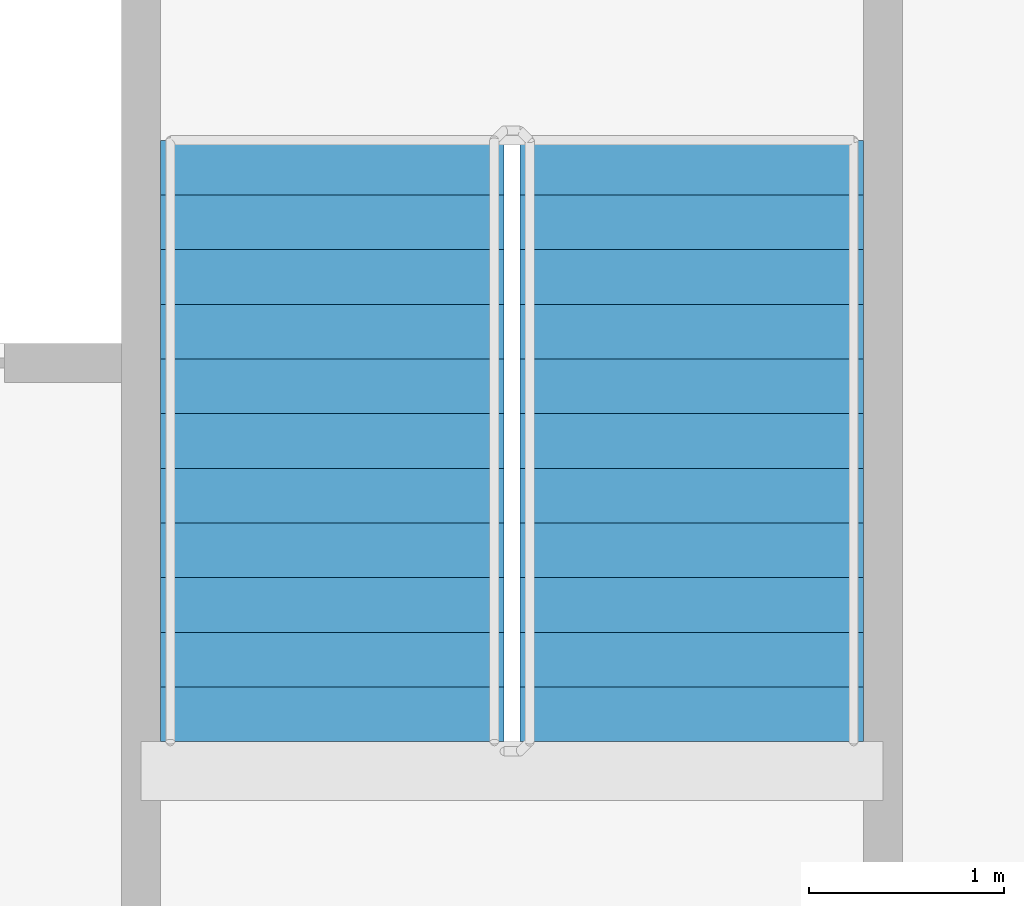
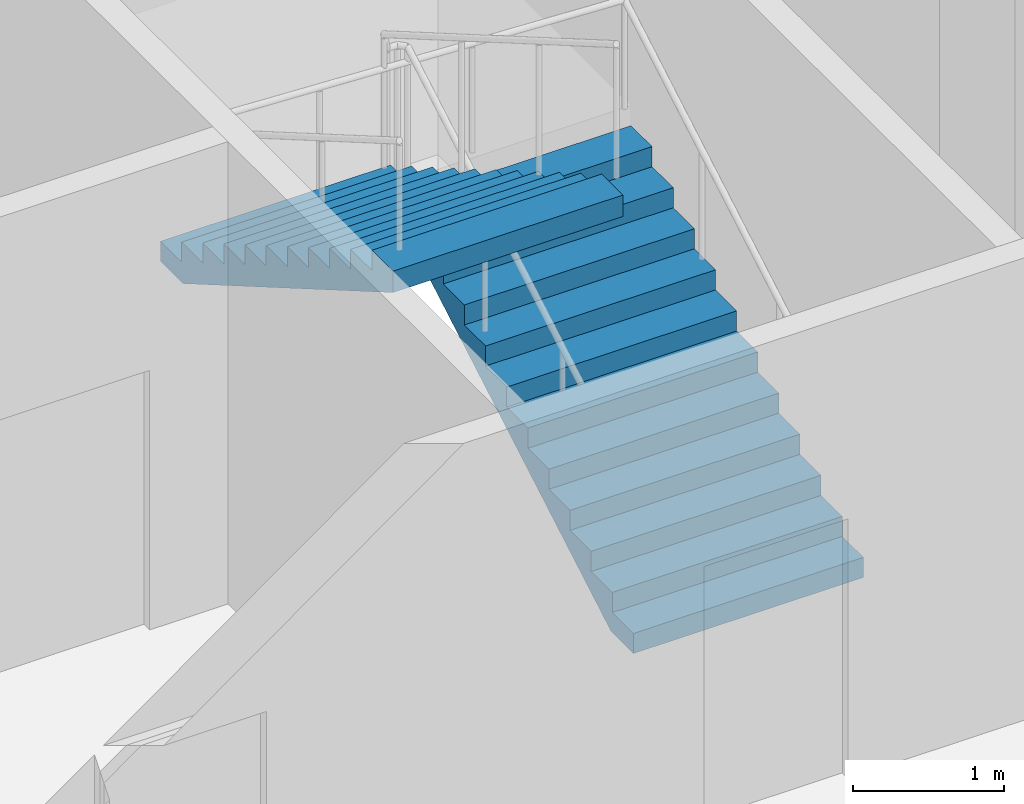
# One storey, part 17 of 22: 2 stair flights, 1 element without a shape of its own.
"""IFC4 building model written with IfcOpenShell, lengths in metres."""

from ifc_helpers import new_model, si_unit, direction, frame, origin, place, context, subcontext, project, spatial, faceted_brep, material, type_object, element, aggregate, save


model = new_model("IFC4")

# Units and contexts
model_context = context("Model", 3, precision=1e-05, world=origin(), true_north=direction((0.0, 1.0)))
body_context = subcontext(model_context, "Body", "Model", "MODEL_VIEW")
ifc_project = project(units=[si_unit("LENGTHUNIT", "METRE"), si_unit("AREAUNIT", "SQUARE_METRE"), si_unit("VOLUMEUNIT", "CUBIC_METRE"), si_unit("PLANEANGLEUNIT", "RADIAN"), si_unit("MASSUNIT", "GRAM", prefix="KILO")], contexts=[model_context])

# Site, building, storey
site_placement = place(None, origin())
site = spatial("IfcSite", under=ifc_project, at=site_placement, CompositionType="ELEMENT")
building_placement = place(site_placement, origin())
building = spatial("IfcBuilding", under=site, at=building_placement, Name="Tarsis Ring Headquarters", CompositionType="ELEMENT")
storey_placement = place(building_placement, frame((0.0, 0.0, 63.39990234375)))
storey = spatial("IfcBuildingStorey", under=building, at=storey_placement, Name="L13", CompositionType="ELEMENT", Elevation=63.39990234375)

# Stair, stair flights
ifc_material_1 = material(Name="Core stair 1760")
stair_type = type_object("IfcStairType", Name="Core stair 1760", PredefinedType="HALF_TURN_STAIR", material=ifc_material_1)
stair_placement = place(storey_placement, origin())
stair = element("IfcStair", 1, at=stair_placement, inside=storey, type_object=stair_type, Name="L13 Exit stair B", PredefinedType="HALF_TURN_STAIR")
ifc_material_2 = material(Name="Concrete C40/50", Category="concrete")
stair_flight_type = type_object("IfcStairFlightType", Name="Core stair flight 1760", PredefinedType="STRAIGHT", material=ifc_material_2)
stair_flight_1_placement = place(storey_placement, frame((5.419921875, 3.659912109375, 0.0), z_axis=(0.0, 0.0, 1.0), x_axis=(0.0, 1.0, 0.0)))
stair_flight_1 = element("IfcStairFlight", 2, at=stair_flight_1_placement, type_object=stair_flight_type, Name="Stair ST2 flight 1", NumberOfRisers=12, NumberOfTreads=11, PredefinedType="STRAIGHT", RiserHeight=0.1625, TreadLength=0.28, context=body_context, shape_type="Brep", body=[
    faceted_brep([(0.0, 0.8798828125, 0.0), (0.0, 0.8798828125, 0.16259765625), (0.280029296875, 0.8798828125, 0.16259765625), (0.280029296875, 0.8798828125, 0.324951171875), (0.56005859375, 0.8798828125, 0.324951171875), (0.56005859375, 0.8798828125, 0.487548828125), (0.840087890625, 0.8798828125, 0.487548828125), (0.840087890625, 0.8798828125, 0.64990234375), (1.1201171875, 0.8798828125, 0.64990234375), (1.1201171875, 0.8798828125, 0.8125), (1.39990234375, 0.8798828125, 0.8125), (1.39990234375, 0.8798828125, 0.97509765625), (1.679931640625, 0.8798828125, 0.97509765625), (1.679931640625, 0.8798828125, 1.137451171875), (1.9599609375, 0.8798828125, 1.137451171875), (1.9599609375, 0.8798828125, 1.300048828125), (2.239990234375, 0.8798828125, 1.300048828125), (2.239990234375, 0.8798828125, 1.46240234375), (2.52001953125, 0.8798828125, 1.46240234375), (2.52001953125, 0.8798828125, 1.625), (2.800048828125, 0.8798828125, 1.625), (2.800048828125, 0.8798828125, 1.78759765625), (3.080078125, 0.8798828125, 1.78759765625), (3.080078125, 0.8798828125, 1.6142578125), (0.298583984375, 0.8798828125, 0.0), (0.298583984375, -0.8798828125, 0.0), (3.080078125, -0.8798828125, 1.6142578125), (3.080078125, -0.8798828125, 1.78759765625), (2.800048828125, -0.8798828125, 1.78759765625), (2.800048828125, -0.8798828125, 1.625), (2.52001953125, -0.8798828125, 1.625), (2.52001953125, -0.8798828125, 1.46240234375), (2.239990234375, -0.8798828125, 1.46240234375), (2.239990234375, -0.8798828125, 1.300048828125), (1.9599609375, -0.8798828125, 1.300048828125), (1.9599609375, -0.8798828125, 1.137451171875), (1.679931640625, -0.8798828125, 1.137451171875), (1.679931640625, -0.8798828125, 0.97509765625), (1.39990234375, -0.8798828125, 0.97509765625), (1.39990234375, -0.8798828125, 0.8125), (1.1201171875, -0.8798828125, 0.8125), (1.1201171875, -0.8798828125, 0.64990234375), (0.840087890625, -0.8798828125, 0.64990234375), (0.840087890625, -0.8798828125, 0.487548828125), (0.56005859375, -0.8798828125, 0.487548828125), (0.56005859375, -0.8798828125, 0.324951171875), (0.280029296875, -0.8798828125, 0.324951171875), (0.280029296875, -0.8798828125, 0.16259765625), (0.0, -0.8798828125, 0.16259765625), (0.0, -0.8798828125, 0.0), (0.0, -0.43994140625, 0.16259765625), (0.0, -0.43994140625, 0.0), (0.0, 0.0, 0.16259765625), (0.0, 0.0, 0.0), (0.0, 0.43994140625, 0.16259765625), (0.0, 0.43994140625, 0.0), (0.280029296875, -0.43994140625, 0.16259765625), (0.280029296875, 0.0, 0.16259765625), (0.280029296875, 0.43994140625, 0.16259765625), (0.280029296875, -0.43994140625, 0.324951171875), (0.280029296875, 0.0, 0.324951171875), (0.280029296875, 0.43994140625, 0.324951171875), (0.56005859375, -0.43994140625, 0.324951171875), (0.56005859375, 0.0, 0.324951171875), (0.56005859375, 0.43994140625, 0.324951171875), (0.56005859375, -0.43994140625, 0.487548828125), (0.56005859375, 0.0, 0.487548828125), (0.56005859375, 0.43994140625, 0.487548828125), (0.840087890625, -0.43994140625, 0.487548828125), (0.840087890625, 0.0, 0.487548828125), (0.840087890625, 0.43994140625, 0.487548828125), (0.840087890625, -0.43994140625, 0.64990234375), (0.840087890625, 0.0, 0.64990234375), (0.840087890625, 0.43994140625, 0.64990234375), (1.1201171875, -0.43994140625, 0.64990234375), (1.1201171875, 0.0, 0.64990234375), (1.1201171875, 0.43994140625, 0.64990234375), (1.1201171875, -0.43994140625, 0.8125), (1.1201171875, 0.0, 0.8125), (1.1201171875, 0.43994140625, 0.8125), (1.39990234375, -0.43994140625, 0.8125), (1.39990234375, 0.0, 0.8125), (1.39990234375, 0.43994140625, 0.8125), (1.39990234375, -0.43994140625, 0.97509765625), (1.39990234375, 0.0, 0.97509765625), (1.39990234375, 0.43994140625, 0.97509765625), (1.679931640625, -0.43994140625, 0.97509765625), (1.679931640625, 0.0, 0.97509765625), (1.679931640625, 0.43994140625, 0.97509765625), (1.679931640625, -0.43994140625, 1.137451171875), (1.679931640625, 0.0, 1.137451171875), (1.679931640625, 0.43994140625, 1.137451171875), (1.9599609375, -0.43994140625, 1.137451171875), (1.9599609375, 0.0, 1.137451171875), (1.9599609375, 0.43994140625, 1.137451171875), (1.9599609375, -0.43994140625, 1.300048828125), (1.9599609375, 0.0, 1.300048828125), (1.9599609375, 0.43994140625, 1.300048828125), (2.239990234375, -0.43994140625, 1.300048828125), (2.239990234375, 0.0, 1.300048828125), (2.239990234375, 0.43994140625, 1.300048828125), (2.239990234375, -0.43994140625, 1.46240234375), (2.239990234375, 0.0, 1.46240234375), (2.239990234375, 0.43994140625, 1.46240234375), (2.52001953125, -0.43994140625, 1.46240234375), (2.52001953125, 0.0, 1.46240234375), (2.52001953125, 0.43994140625, 1.46240234375), (2.52001953125, -0.43994140625, 1.625), (2.52001953125, 0.0, 1.625), (2.52001953125, 0.43994140625, 1.625), (2.800048828125, -0.43994140625, 1.625), (2.800048828125, 0.0, 1.625), (2.800048828125, 0.43994140625, 1.625), (2.800048828125, -0.43994140625, 1.78759765625), (2.800048828125, 0.0, 1.78759765625), (2.800048828125, 0.43994140625, 1.78759765625), (3.080078125, -0.43994140625, 1.78759765625), (3.080078125, 0.0, 1.78759765625), (3.080078125, 0.43994140625, 1.78759765625), (3.080078125, -0.43994140625, 1.6142578125), (3.080078125, 0.0, 1.6142578125), (3.080078125, 0.43994140625, 1.6142578125), (0.298583984375, -0.43994140625, 0.0), (0.298583984375, 0.0, 0.0), (0.298583984375, 0.43994140625, 0.0)], [[[0, 1, 2, 3, 4, 5, 6, 7, 8, 9, 10, 11, 12, 13, 14, 15, 16, 17, 18, 19, 20, 21, 22, 23, 24]], [[25, 26, 27, 28, 29, 30, 31, 32, 33, 34, 35, 36, 37, 38, 39, 40, 41, 42, 43, 44, 45, 46, 47, 48, 49]], [[49, 48, 50, 51]], [[51, 50, 52, 53]], [[53, 52, 54, 55]], [[55, 54, 1, 0]], [[48, 47, 56, 50]], [[50, 56, 57, 52]], [[52, 57, 58, 54]], [[54, 58, 2, 1]], [[47, 46, 59, 56]], [[56, 59, 60, 57]], [[57, 60, 61, 58]], [[58, 61, 3, 2]], [[46, 45, 62, 59]], [[59, 62, 63, 60]], [[60, 63, 64, 61]], [[61, 64, 4, 3]], [[45, 44, 65, 62]], [[62, 65, 66, 63]], [[63, 66, 67, 64]], [[64, 67, 5, 4]], [[44, 43, 68, 65]], [[65, 68, 69, 66]], [[66, 69, 70, 67]], [[67, 70, 6, 5]], [[43, 42, 71, 68]], [[68, 71, 72, 69]], [[69, 72, 73, 70]], [[70, 73, 7, 6]], [[42, 41, 74, 71]], [[71, 74, 75, 72]], [[72, 75, 76, 73]], [[73, 76, 8, 7]], [[41, 40, 77, 74]], [[74, 77, 78, 75]], [[75, 78, 79, 76]], [[76, 79, 9, 8]], [[40, 39, 80, 77]], [[77, 80, 81, 78]], [[78, 81, 82, 79]], [[79, 82, 10, 9]], [[39, 38, 83, 80]], [[80, 83, 84, 81]], [[81, 84, 85, 82]], [[82, 85, 11, 10]], [[38, 37, 86, 83]], [[83, 86, 87, 84]], [[84, 87, 88, 85]], [[85, 88, 12, 11]], [[37, 36, 89, 86]], [[86, 89, 90, 87]], [[87, 90, 91, 88]], [[88, 91, 13, 12]], [[36, 35, 92, 89]], [[89, 92, 93, 90]], [[90, 93, 94, 91]], [[91, 94, 14, 13]], [[35, 34, 95, 92]], [[92, 95, 96, 93]], [[93, 96, 97, 94]], [[94, 97, 15, 14]], [[34, 33, 98, 95]], [[95, 98, 99, 96]], [[96, 99, 100, 97]], [[97, 100, 16, 15]], [[33, 32, 101, 98]], [[98, 101, 102, 99]], [[99, 102, 103, 100]], [[100, 103, 17, 16]], [[32, 31, 104, 101]], [[101, 104, 105, 102]], [[102, 105, 106, 103]], [[103, 106, 18, 17]], [[31, 30, 107, 104]], [[104, 107, 108, 105]], [[105, 108, 109, 106]], [[106, 109, 19, 18]], [[30, 29, 110, 107]], [[107, 110, 111, 108]], [[108, 111, 112, 109]], [[109, 112, 20, 19]], [[29, 28, 113, 110]], [[110, 113, 114, 111]], [[111, 114, 115, 112]], [[112, 115, 21, 20]], [[28, 27, 116, 113]], [[113, 116, 117, 114]], [[114, 117, 118, 115]], [[115, 118, 22, 21]], [[27, 26, 119, 116]], [[116, 119, 120, 117]], [[117, 120, 121, 118]], [[118, 121, 23, 22]], [[26, 25, 122, 119]], [[119, 122, 123, 120]], [[120, 123, 124, 121]], [[121, 124, 24, 23]], [[25, 49, 51, 122]], [[122, 51, 53, 123]], [[123, 53, 55, 124]], [[124, 55, 0, 24]]]),
])
stair_flight_2_placement = place(storey_placement, frame((3.580078125, 6.739990234375, 1.9501953125), z_axis=(0.0, 0.0, 1.0), x_axis=(0.0, -1.0, 0.0)))
stair_flight_2 = element("IfcStairFlight", 3, at=stair_flight_2_placement, type_object=stair_flight_type, Name="Stair ST2 flight 2", NumberOfRisers=12, NumberOfTreads=11, PredefinedType="STRAIGHT", RiserHeight=0.1625, TreadLength=0.28, context=body_context, shape_type="Brep", body=[
    faceted_brep([(0.0, 0.8798828125, 0.0), (0.0, 0.8798828125, 0.16259765625), (0.280029296875, 0.8798828125, 0.16259765625), (0.280029296875, 0.8798828125, 0.324951171875), (0.56005859375, 0.8798828125, 0.324951171875), (0.56005859375, 0.8798828125, 0.487548828125), (0.840087890625, 0.8798828125, 0.487548828125), (0.840087890625, 0.8798828125, 0.64990234375), (1.1201171875, 0.8798828125, 0.64990234375), (1.1201171875, 0.8798828125, 0.8125), (1.39990234375, 0.8798828125, 0.8125), (1.39990234375, 0.8798828125, 0.97509765625), (1.679931640625, 0.8798828125, 0.97509765625), (1.679931640625, 0.8798828125, 1.137451171875), (1.9599609375, 0.8798828125, 1.137451171875), (1.9599609375, 0.8798828125, 1.300048828125), (2.239990234375, 0.8798828125, 1.300048828125), (2.239990234375, 0.8798828125, 1.46240234375), (2.52001953125, 0.8798828125, 1.46240234375), (2.52001953125, 0.8798828125, 1.625), (2.800048828125, 0.8798828125, 1.625), (2.800048828125, 0.8798828125, 1.78759765625), (3.080078125, 0.8798828125, 1.78759765625), (3.080078125, 0.8798828125, 1.6142578125), (0.298583984375, 0.8798828125, 0.0), (0.298583984375, -0.8798828125, 0.0), (3.080078125, -0.8798828125, 1.6142578125), (3.080078125, -0.8798828125, 1.78759765625), (2.800048828125, -0.8798828125, 1.78759765625), (2.800048828125, -0.8798828125, 1.625), (2.52001953125, -0.8798828125, 1.625), (2.52001953125, -0.8798828125, 1.46240234375), (2.239990234375, -0.8798828125, 1.46240234375), (2.239990234375, -0.8798828125, 1.300048828125), (1.9599609375, -0.8798828125, 1.300048828125), (1.9599609375, -0.8798828125, 1.137451171875), (1.679931640625, -0.8798828125, 1.137451171875), (1.679931640625, -0.8798828125, 0.97509765625), (1.39990234375, -0.8798828125, 0.97509765625), (1.39990234375, -0.8798828125, 0.8125), (1.1201171875, -0.8798828125, 0.8125), (1.1201171875, -0.8798828125, 0.64990234375), (0.840087890625, -0.8798828125, 0.64990234375), (0.840087890625, -0.8798828125, 0.487548828125), (0.56005859375, -0.8798828125, 0.487548828125), (0.56005859375, -0.8798828125, 0.324951171875), (0.280029296875, -0.8798828125, 0.324951171875), (0.280029296875, -0.8798828125, 0.16259765625), (0.0, -0.8798828125, 0.16259765625), (0.0, -0.8798828125, 0.0), (0.0, -0.43994140625, 0.16259765625), (0.0, -0.43994140625, 0.0), (0.0, 0.0, 0.16259765625), (0.0, 0.0, 0.0), (0.0, 0.43994140625, 0.16259765625), (0.0, 0.43994140625, 0.0), (0.280029296875, -0.43994140625, 0.16259765625), (0.280029296875, 0.0, 0.16259765625), (0.280029296875, 0.43994140625, 0.16259765625), (0.280029296875, -0.43994140625, 0.324951171875), (0.280029296875, 0.0, 0.324951171875), (0.280029296875, 0.43994140625, 0.324951171875), (0.56005859375, -0.43994140625, 0.324951171875), (0.56005859375, 0.0, 0.324951171875), (0.56005859375, 0.43994140625, 0.324951171875), (0.56005859375, -0.43994140625, 0.487548828125), (0.56005859375, 0.0, 0.487548828125), (0.56005859375, 0.43994140625, 0.487548828125), (0.840087890625, -0.43994140625, 0.487548828125), (0.840087890625, 0.0, 0.487548828125), (0.840087890625, 0.43994140625, 0.487548828125), (0.840087890625, -0.43994140625, 0.64990234375), (0.840087890625, 0.0, 0.64990234375), (0.840087890625, 0.43994140625, 0.64990234375), (1.1201171875, -0.43994140625, 0.64990234375), (1.1201171875, 0.0, 0.64990234375), (1.1201171875, 0.43994140625, 0.64990234375), (1.1201171875, -0.43994140625, 0.8125), (1.1201171875, 0.0, 0.8125), (1.1201171875, 0.43994140625, 0.8125), (1.39990234375, -0.43994140625, 0.8125), (1.39990234375, 0.0, 0.8125), (1.39990234375, 0.43994140625, 0.8125), (1.39990234375, -0.43994140625, 0.97509765625), (1.39990234375, 0.0, 0.97509765625), (1.39990234375, 0.43994140625, 0.97509765625), (1.679931640625, -0.43994140625, 0.97509765625), (1.679931640625, 0.0, 0.97509765625), (1.679931640625, 0.43994140625, 0.97509765625), (1.679931640625, -0.43994140625, 1.137451171875), (1.679931640625, 0.0, 1.137451171875), (1.679931640625, 0.43994140625, 1.137451171875), (1.9599609375, -0.43994140625, 1.137451171875), (1.9599609375, 0.0, 1.137451171875), (1.9599609375, 0.43994140625, 1.137451171875), (1.9599609375, -0.43994140625, 1.300048828125), (1.9599609375, 0.0, 1.300048828125), (1.9599609375, 0.43994140625, 1.300048828125), (2.239990234375, -0.43994140625, 1.300048828125), (2.239990234375, 0.0, 1.300048828125), (2.239990234375, 0.43994140625, 1.300048828125), (2.239990234375, -0.43994140625, 1.46240234375), (2.239990234375, 0.0, 1.46240234375), (2.239990234375, 0.43994140625, 1.46240234375), (2.52001953125, -0.43994140625, 1.46240234375), (2.52001953125, 0.0, 1.46240234375), (2.52001953125, 0.43994140625, 1.46240234375), (2.52001953125, -0.43994140625, 1.625), (2.52001953125, 0.0, 1.625), (2.52001953125, 0.43994140625, 1.625), (2.800048828125, -0.43994140625, 1.625), (2.800048828125, 0.0, 1.625), (2.800048828125, 0.43994140625, 1.625), (2.800048828125, -0.43994140625, 1.78759765625), (2.800048828125, 0.0, 1.78759765625), (2.800048828125, 0.43994140625, 1.78759765625), (3.080078125, -0.43994140625, 1.78759765625), (3.080078125, 0.0, 1.78759765625), (3.080078125, 0.43994140625, 1.78759765625), (3.080078125, -0.43994140625, 1.6142578125), (3.080078125, 0.0, 1.6142578125), (3.080078125, 0.43994140625, 1.6142578125), (0.298583984375, -0.43994140625, 0.0), (0.298583984375, 0.0, 0.0), (0.298583984375, 0.43994140625, 0.0)], [[[0, 1, 2, 3, 4, 5, 6, 7, 8, 9, 10, 11, 12, 13, 14, 15, 16, 17, 18, 19, 20, 21, 22, 23, 24]], [[25, 26, 27, 28, 29, 30, 31, 32, 33, 34, 35, 36, 37, 38, 39, 40, 41, 42, 43, 44, 45, 46, 47, 48, 49]], [[49, 48, 50, 51]], [[51, 50, 52, 53]], [[53, 52, 54, 55]], [[55, 54, 1, 0]], [[48, 47, 56, 50]], [[50, 56, 57, 52]], [[52, 57, 58, 54]], [[54, 58, 2, 1]], [[47, 46, 59, 56]], [[56, 59, 60, 57]], [[57, 60, 61, 58]], [[58, 61, 3, 2]], [[46, 45, 62, 59]], [[59, 62, 63, 60]], [[60, 63, 64, 61]], [[61, 64, 4, 3]], [[45, 44, 65, 62]], [[62, 65, 66, 63]], [[63, 66, 67, 64]], [[64, 67, 5, 4]], [[44, 43, 68, 65]], [[65, 68, 69, 66]], [[66, 69, 70, 67]], [[67, 70, 6, 5]], [[43, 42, 71, 68]], [[68, 71, 72, 69]], [[69, 72, 73, 70]], [[70, 73, 7, 6]], [[42, 41, 74, 71]], [[71, 74, 75, 72]], [[72, 75, 76, 73]], [[73, 76, 8, 7]], [[41, 40, 77, 74]], [[74, 77, 78, 75]], [[75, 78, 79, 76]], [[76, 79, 9, 8]], [[40, 39, 80, 77]], [[77, 80, 81, 78]], [[78, 81, 82, 79]], [[79, 82, 10, 9]], [[39, 38, 83, 80]], [[80, 83, 84, 81]], [[81, 84, 85, 82]], [[82, 85, 11, 10]], [[38, 37, 86, 83]], [[83, 86, 87, 84]], [[84, 87, 88, 85]], [[85, 88, 12, 11]], [[37, 36, 89, 86]], [[86, 89, 90, 87]], [[87, 90, 91, 88]], [[88, 91, 13, 12]], [[36, 35, 92, 89]], [[89, 92, 93, 90]], [[90, 93, 94, 91]], [[91, 94, 14, 13]], [[35, 34, 95, 92]], [[92, 95, 96, 93]], [[93, 96, 97, 94]], [[94, 97, 15, 14]], [[34, 33, 98, 95]], [[95, 98, 99, 96]], [[96, 99, 100, 97]], [[97, 100, 16, 15]], [[33, 32, 101, 98]], [[98, 101, 102, 99]], [[99, 102, 103, 100]], [[100, 103, 17, 16]], [[32, 31, 104, 101]], [[101, 104, 105, 102]], [[102, 105, 106, 103]], [[103, 106, 18, 17]], [[31, 30, 107, 104]], [[104, 107, 108, 105]], [[105, 108, 109, 106]], [[106, 109, 19, 18]], [[30, 29, 110, 107]], [[107, 110, 111, 108]], [[108, 111, 112, 109]], [[109, 112, 20, 19]], [[29, 28, 113, 110]], [[110, 113, 114, 111]], [[111, 114, 115, 112]], [[112, 115, 21, 20]], [[28, 27, 116, 113]], [[113, 116, 117, 114]], [[114, 117, 118, 115]], [[115, 118, 22, 21]], [[27, 26, 119, 116]], [[116, 119, 120, 117]], [[117, 120, 121, 118]], [[118, 121, 23, 22]], [[26, 25, 122, 119]], [[119, 122, 123, 120]], [[120, 123, 124, 121]], [[121, 124, 24, 23]], [[25, 49, 51, 122]], [[122, 51, 53, 123]], [[123, 53, 55, 124]], [[124, 55, 0, 24]]]),
])
aggregate(stair, [stair_flight_1, stair_flight_2])

save(model, "model.ifc")
